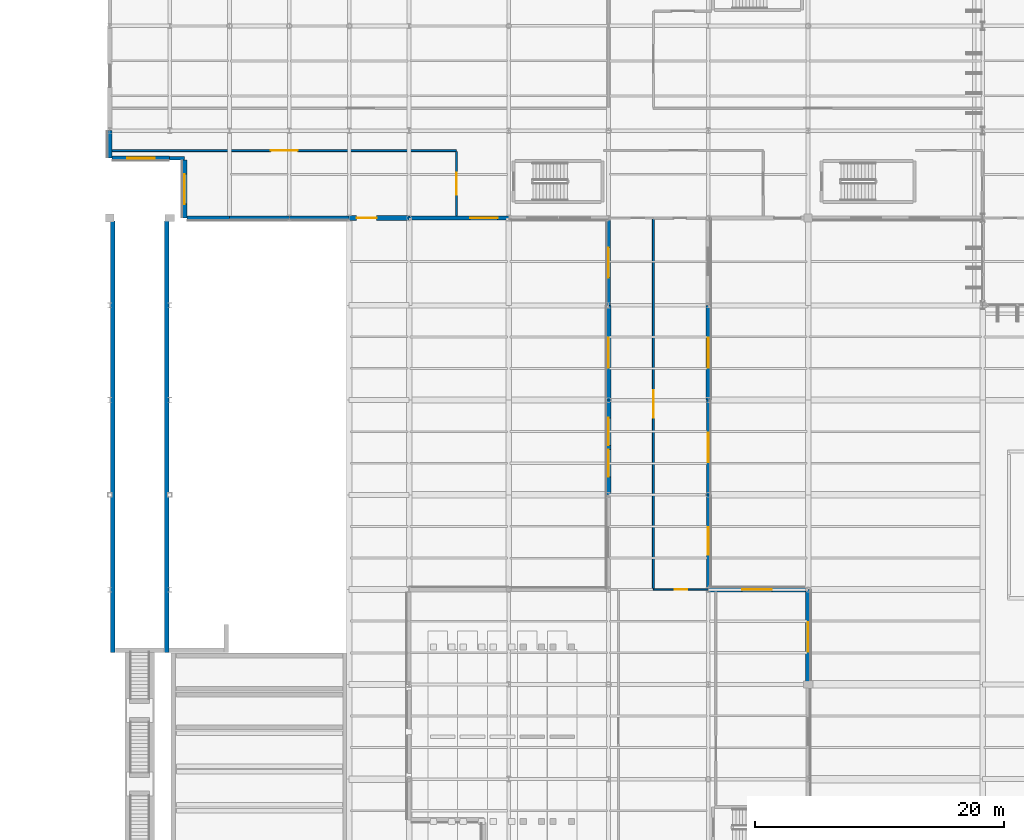
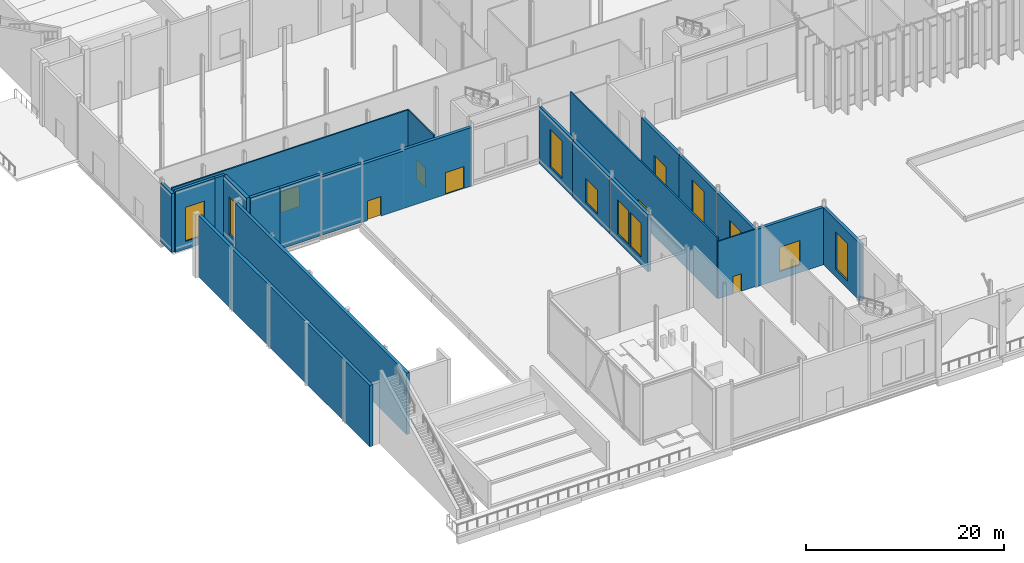
# One storey, part 133 of 176: 23 walls, 11 windows, 6 doors, 17 openings.
"""IFC4 building model written with IfcOpenShell, lengths in metres."""

from ifc_helpers import new_model, si_unit, direction, frame, frame_2d, origin, place, context, subcontext, project, spatial, rectangle, extrude, material, layer, layer_set, type_object, element, fill, save


model = new_model("IFC4")

# Units and contexts
model_context = context("Model", 3, precision=1e-05, world=origin(), true_north=direction((0.0, 1.0)))
body_context = subcontext(model_context, "Body", "Model", "MODEL_VIEW")
ifc_project = project(units=[si_unit("LENGTHUNIT", "METRE"), si_unit("AREAUNIT", "SQUARE_METRE"), si_unit("VOLUMEUNIT", "CUBIC_METRE"), si_unit("PLANEANGLEUNIT", "RADIAN"), si_unit("MASSUNIT", "GRAM", prefix="KILO")], contexts=[model_context])

# Site, building, storey
site_placement = place(None, origin())
site = spatial("IfcSite", under=ifc_project, at=site_placement, CompositionType="ELEMENT")
building_placement = place(site_placement, origin())
building = spatial("IfcBuilding", under=site, at=building_placement, Name="Vekula Escarpment Museum", CompositionType="ELEMENT")
storey_placement = place(building_placement, origin())
storey = spatial("IfcBuildingStorey", under=building, at=storey_placement, Name="L01", CompositionType="ELEMENT", Elevation=0.0)

# Walls
ifc_material_1 = material(Name="Inkisi arkosic sandstone masonry", Category="masonry")
ifc_layer_1 = layer(ifc_material_1, 0.300048828125)
ifc_layer_set_1 = layer_set([ifc_layer_1], Name="Inkisi arkosic sandstone masonry")
wall_type_1 = type_object("IfcWallType", Name="WL-ALM-300", PredefinedType="SOLIDWALL", material=ifc_layer_set_1)
wall_1_placement = place(storey_placement, frame((6.0, 57.39990234375, 0.0), z_axis=(0.0, 0.0, 1.0), x_axis=(-1.0, 0.0, 0.0)))
element("IfcWall", 1, at=wall_1_placement, inside=storey, type_object=wall_type_1, Name="Exterior Wall WL-EXT-L01-0255", PredefinedType="SOLIDWALL", context=body_context, shape_type="SweptSolid", body=[
    extrude(rectangle(XDim=1.199951171875, YDim=0.300048828125, at=frame_2d((0.60009765625, 0.0))), origin(), (0.0, 0.0, 1.0), 7.5400390625),
])
wall_2_placement = place(storey_placement, frame((19.199951171875, 52.60009765625, 0.0), z_axis=(0.0, 0.0, 1.0), x_axis=(-1.0, 0.0, 0.0)))
element("IfcWall", 2, at=wall_2_placement, inside=storey, type_object=wall_type_1, Name="Exterior Wall WL-EXT-L01-0259", PredefinedType="SOLIDWALL", context=body_context, shape_type="SweptSolid", body=[
    extrude(rectangle(XDim=4.800048828125, YDim=0.300048828125, at=frame_2d((2.39990234375, 0.0))), origin(), (0.0, 0.0, 1.0), 7.22509765625),
])

# Wall, opening, window
wall_3_placement = place(storey_placement, frame((40.0, 45.60009765625, 0.0), z_axis=(0.0, 0.0, 1.0), x_axis=(0.0, 1.0, 0.0)))
wall_3 = element("IfcWall", 3, at=wall_3_placement, inside=storey, type_object=wall_type_1, Name="Exterior Wall WL-EXT-L01-0263", PredefinedType="SOLIDWALL", context=body_context, shape_type="SweptSolid", body=[
    extrude(rectangle(XDim=6.8359375, YDim=0.300048828125, at=frame_2d((3.41796875, 0.0))), origin(), (0.0, 0.0, 1.0), 7.02490234375),
])
opening_1_placement = place(wall_3_placement, frame((2.218017578125, 0.0, 0.949951171875)))
opening_1 = element("IfcOpeningElement", 4, at=opening_1_placement, cuts=wall_3, Name="Opening WN-05", PredefinedType="OPENING", context=body_context, shape_type="SweptSolid", body=[
    extrude(rectangle(XDim=2.39990234375, YDim=4.60009765625, at=frame_2d((1.199951171875, 2.300048828125))), frame((0.0, 0.159912109375, 0.0), z_axis=(0.0, -1.0, 0.0), x_axis=(1.0, 0.0, 0.0)), (0.0, 0.0, 1.0), 0.320068359375),
])
ifc_material_2 = material(Name="Double solar-control low-E glass", Category="glass")
window_type_1 = type_object("IfcWindowType", Name="WN-ARCH-24x46", PartitioningType="TRIPLE_PANEL_VERTICAL", PredefinedType="WINDOW", material=ifc_material_2)
window_1_placement = place(opening_1_placement, origin())
window_1 = element("IfcWindow", 5, at=window_1_placement, inside=storey, type_object=window_type_1, Name="Window L01-0107", OverallHeight=4.60009765625, OverallWidth=2.39990234375, PartitioningType="SINGLE_PANEL", PredefinedType="WINDOW", context=body_context, shape_type="SweptSolid", body=[
    extrude(rectangle(XDim=2.39990234375, YDim=4.60009765625, at=frame_2d((1.199951171875, 2.300048828125))), frame((0.0, 0.030029296875, 0.0), z_axis=(0.0, -1.0, 0.0), x_axis=(1.0, 0.0, 0.0)), (0.0, 0.0, 1.0), 0.06005859375),
])
fill(opening_1, window_1)

wall_4_placement = place(storey_placement, frame((48.0, 38.0, 0.0), z_axis=(0.0, 0.0, 1.0), x_axis=(0.0, -1.0, 0.0)))
wall_4 = element("IfcWall", 6, at=wall_4_placement, inside=storey, type_object=wall_type_1, Name="Exterior Wall WL-EXT-L01-0283", PredefinedType="SOLIDWALL", context=body_context, shape_type="SweptSolid", body=[
    extrude(rectangle(XDim=7.60009765625, YDim=0.300048828125, at=frame_2d((3.800048828125, 0.0))), origin(), (0.0, 0.0, 1.0), 7.02490234375),
])
opening_2_placement = place(wall_4_placement, frame((2.60009765625, 0.0, 0.949951171875)))
opening_2 = element("IfcOpeningElement", 7, at=opening_2_placement, cuts=wall_4, Name="Opening WN-05", PredefinedType="OPENING", context=body_context, shape_type="SweptSolid", body=[
    extrude(rectangle(XDim=2.39990234375, YDim=4.60009765625, at=frame_2d((1.199951171875, 2.300048828125))), frame((0.0, 0.159912109375, 0.0), z_axis=(0.0, -1.0, 0.0), x_axis=(1.0, 0.0, 0.0)), (0.0, 0.0, 1.0), 0.320068359375),
])
window_2_placement = place(opening_2_placement, origin())
window_2 = element("IfcWindow", 8, at=window_2_placement, inside=storey, type_object=window_type_1, Name="Window L01-0119", OverallHeight=4.60009765625, OverallWidth=2.39990234375, PartitioningType="SINGLE_PANEL", PredefinedType="WINDOW", context=body_context, shape_type="SweptSolid", body=[
    extrude(rectangle(XDim=2.39990234375, YDim=4.60009765625, at=frame_2d((1.199951171875, 2.300048828125))), frame((0.0, 0.030029296875, 0.0), z_axis=(0.0, -1.0, 0.0), x_axis=(1.0, 0.0, 0.0)), (0.0, 0.0, 1.0), 0.06005859375),
])
fill(opening_2, window_2)

ifc_material_3 = material(Name="Inkisi arkosic sandstone masonry", Category="masonry")
ifc_layer_2 = layer(ifc_material_3, 0.320068359375)
ifc_layer_set_2 = layer_set([ifc_layer_2], Name="Inkisi arkosic sandstone masonry")
wall_type_2 = type_object("IfcWallType", Name="WL-ALM-320", PredefinedType="SOLIDWALL", material=ifc_layer_set_2)
wall_5_placement = place(storey_placement, frame((4.800048828125, 57.39990234375, 0.0), z_axis=(0.0, 0.0, 1.0), x_axis=(-1.0, 0.0, 0.0)))
wall_5 = element("IfcWall", 9, at=wall_5_placement, inside=storey, type_object=wall_type_2, Name="Exterior Wall WL-EXT-L01-0254", PredefinedType="SOLIDWALL", context=body_context, shape_type="SweptSolid", body=[
    extrude(rectangle(XDim=4.62109375, YDim=0.320068359375, at=frame_2d((2.310546875, 0.0))), origin(), (0.0, 0.0, 1.0), 7.5400390625),
])
opening_3_placement = place(wall_5_placement, frame((1.21044921875, 0.0, 0.949951171875)))
opening_3 = element("IfcOpeningElement", 10, at=opening_3_placement, cuts=wall_5, Name="Opening WN-04", PredefinedType="OPENING", context=body_context, shape_type="SweptSolid", body=[
    extrude(rectangle(XDim=2.199951171875, YDim=4.199951171875, at=frame_2d((1.10009765625, 2.10009765625))), frame((0.0, 0.169921875, 0.0), z_axis=(0.0, -1.0, 0.0), x_axis=(1.0, 0.0, 0.0)), (0.0, 0.0, 1.0), 0.340087890625),
])
ifc_material_4 = material(Name="Double solar-control low-E glass", Category="glass")
window_type_2 = type_object("IfcWindowType", Name="WN-ARCH-22x42", PartitioningType="DOUBLE_PANEL_VERTICAL", PredefinedType="WINDOW", material=ifc_material_4)
window_3_placement = place(opening_3_placement, origin())
window_3 = element("IfcWindow", 11, at=window_3_placement, inside=storey, type_object=window_type_2, Name="Window L01-0103", OverallHeight=4.199951171875, OverallWidth=2.199951171875, PartitioningType="SINGLE_PANEL", PredefinedType="WINDOW", context=body_context, shape_type="SweptSolid", body=[
    extrude(rectangle(XDim=2.199951171875, YDim=4.199951171875, at=frame_2d((1.10009765625, 2.10009765625))), frame((0.0, 0.030029296875, 0.0), z_axis=(0.0, -1.0, 0.0), x_axis=(1.0, 0.0, 0.0)), (0.0, 0.0, 1.0), 0.06005859375),
])
fill(opening_3, window_3)

# Wall
wall_6_placement = place(storey_placement, frame((14.39990234375, 52.60009765625, 0.0), z_axis=(0.0, 0.0, 1.0), x_axis=(-1.0, 0.0, 0.0)))
element("IfcWall", 12, at=wall_6_placement, inside=storey, type_object=wall_type_2, Name="Exterior Wall WL-EXT-L01-0258", PredefinedType="SOLIDWALL", context=body_context, shape_type="SweptSolid", body=[
    extrude(rectangle(XDim=4.7998046875, YDim=0.320068359375, at=frame_2d((2.39990234375, 0.0))), origin(), (0.0, 0.0, 1.0), 7.5400390625),
])

# Wall, opening, window
wall_7_placement = place(storey_placement, frame((48.0, 30.39990234375, 0.0), z_axis=(0.0, 0.0, 1.0), x_axis=(0.0, -1.0, 0.0)))
wall_7 = element("IfcWall", 13, at=wall_7_placement, inside=storey, type_object=wall_type_2, Name="Exterior Wall WL-EXT-L01-0282", PredefinedType="SOLIDWALL", context=body_context, shape_type="SweptSolid", body=[
    extrude(rectangle(XDim=7.4208984375, YDim=0.320068359375, at=frame_2d((3.71044921875, 0.0))), origin(), (0.0, 0.0, 1.0), 7.02490234375),
])
opening_4_placement = place(wall_7_placement, frame((2.610595703125, 0.0, 0.949951171875)))
opening_4 = element("IfcOpeningElement", 14, at=opening_4_placement, cuts=wall_7, Name="Opening WN-04", PredefinedType="OPENING", context=body_context, shape_type="SweptSolid", body=[
    extrude(rectangle(XDim=2.199951171875, YDim=4.199951171875, at=frame_2d((1.10009765625, 2.10009765625))), frame((0.0, 0.169921875, 0.0), z_axis=(0.0, -1.0, 0.0), x_axis=(1.0, 0.0, 0.0)), (0.0, 0.0, 1.0), 0.340087890625),
])
window_4_placement = place(opening_4_placement, origin())
window_4 = element("IfcWindow", 15, at=window_4_placement, inside=storey, type_object=window_type_2, Name="Window L01-0118", OverallHeight=4.199951171875, OverallWidth=2.199951171875, PartitioningType="SINGLE_PANEL", PredefinedType="WINDOW", context=body_context, shape_type="SweptSolid", body=[
    extrude(rectangle(XDim=2.199951171875, YDim=4.199951171875, at=frame_2d((1.10009765625, 2.10009765625))), frame((0.0, 0.030029296875, 0.0), z_axis=(0.0, -1.0, 0.0), x_axis=(1.0, 0.0, 0.0)), (0.0, 0.0, 1.0), 0.06005859375),
])
fill(opening_4, window_4)

# Walls
ifc_material_5 = material(Name="Inkisi arkosic sandstone masonry", Category="masonry")
ifc_layer_3 = layer(ifc_material_5, 0.35009765625)
ifc_layer_set_3 = layer_set([ifc_layer_3], Name="Inkisi arkosic sandstone masonry")
wall_type_3 = type_object("IfcWallType", Name="WL-ALM-350", PredefinedType="SOLIDWALL", material=ifc_layer_set_3)
wall_8_placement = place(storey_placement, frame((0.0, 57.39990234375, 0.0), z_axis=(0.0, 0.0, 1.0), x_axis=(0.0, 1.0, 0.0)))
element("IfcWall", 16, at=wall_8_placement, inside=storey, type_object=wall_type_3, Name="Exterior Wall WL-EXT-L01-0253", PredefinedType="SOLIDWALL", context=body_context, shape_type="SweptSolid", body=[
    extrude(rectangle(XDim=2.2001953125, YDim=0.35009765625, at=frame_2d((1.10009765625, 0.0))), origin(), (0.0, 0.0, 1.0), 7.27490234375),
])
wall_9_placement = place(storey_placement, frame((9.60009765625, 52.60009765625, 0.0), z_axis=(0.0, 0.0, 1.0), x_axis=(-1.0, 0.0, 0.0)))
element("IfcWall", 17, at=wall_9_placement, inside=storey, type_object=wall_type_3, Name="Exterior Wall WL-EXT-L01-0257", PredefinedType="SOLIDWALL", context=body_context, shape_type="SweptSolid", body=[
    extrude(rectangle(XDim=3.406005859375, YDim=0.35009765625, at=frame_2d((1.703125, 0.0))), origin(), (0.0, 0.0, 1.0), 7.5400390625),
])

# Wall, opening, door
wall_10_placement = place(storey_placement, frame((32.0, 52.60009765625, 0.0), z_axis=(0.0, 0.0, 1.0), x_axis=(-1.0, 0.0, 0.0)))
wall_10 = element("IfcWall", 18, at=wall_10_placement, inside=storey, type_object=wall_type_3, Name="Exterior Wall WL-EXT-L01-0261", PredefinedType="SOLIDWALL", context=body_context, shape_type="SweptSolid", body=[
    extrude(rectangle(XDim=8.0, YDim=0.35009765625, at=frame_2d((4.0, 0.0))), origin(), (0.0, 0.0, 1.0), 7.22509765625),
])
opening_5_placement = place(wall_10_placement, frame((0.89990234375, 0.0, 0.0)))
opening_5 = element("IfcOpeningElement", 19, at=opening_5_placement, cuts=wall_10, Name="Opening D-EX22", PredefinedType="OPENING", context=body_context, shape_type="SweptSolid", body=[
    extrude(rectangle(XDim=2.199951171875, YDim=2.699951171875, at=frame_2d((1.10009765625, 1.35009765625))), frame((0.0, 0.18505859375, 0.0), z_axis=(0.0, -1.0, 0.0), x_axis=(1.0, 0.0, 0.0)), (0.0, 0.0, 1.0), 0.3701171875),
])
ifc_material_6 = material(Name="Bronze-anodized glazed exit door", Category="aluminium")
door_type_1 = type_object("IfcDoorType", Name="DR-EX-2200x2700", OperationType="NOTDEFINED", PredefinedType="DOOR", material=ifc_material_6)
door_1_placement = place(opening_5_placement, origin())
door_1 = element("IfcDoor", 20, at=door_1_placement, inside=storey, type_object=door_type_1, Name="Plinth West ST-04 Protected Exit Door D-EX22", OperationType="SINGLE_SWING_RIGHT", OverallHeight=2.699951171875, OverallWidth=2.199951171875, PredefinedType="DOOR", context=body_context, shape_type="SweptSolid", body=[
    extrude(rectangle(XDim=2.199951171875, YDim=2.699951171875, at=frame_2d((1.10009765625, 1.35009765625))), frame((0.0, 0.02490234375, 0.0), z_axis=(0.0, -1.0, 0.0), x_axis=(1.0, 0.0, 0.0)), (0.0, 0.0, 1.0), 0.050048828125),
])
fill(opening_5, door_1)

# Wall, openings, windows
wall_11_placement = place(storey_placement, frame((40.0, 30.39990234375, 0.0), z_axis=(0.0, 0.0, 1.0), x_axis=(0.0, 1.0, 0.0)))
wall_11 = element("IfcWall", 21, at=wall_11_placement, inside=storey, type_object=wall_type_3, Name="Exterior Wall WL-EXT-L01-0265", PredefinedType="SOLIDWALL", context=body_context, shape_type="SweptSolid", body=[
    extrude(rectangle(XDim=7.60009765625, YDim=0.35009765625, at=frame_2d((3.800048828125, 0.0))), origin(), (0.0, 0.0, 1.0), 7.02490234375),
])
opening_6_placement = place(wall_11_placement, frame((1.433349609375, 0.0, 0.949951171875)))
opening_6 = element("IfcOpeningElement", 22, at=opening_6_placement, cuts=wall_11, Name="Opening WN-04", PredefinedType="OPENING", context=body_context, shape_type="SweptSolid", body=[
    extrude(rectangle(XDim=2.199951171875, YDim=4.199951171875, at=frame_2d((1.10009765625, 2.10009765625))), frame((0.0, 0.18505859375, 0.0), z_axis=(0.0, -1.0, 0.0), x_axis=(1.0, 0.0, 0.0)), (0.0, 0.0, 1.0), 0.3701171875),
])
opening_7_placement = place(wall_11_placement, frame((3.966796875, 0.0, 0.949951171875)))
opening_7 = element("IfcOpeningElement", 23, at=opening_7_placement, cuts=wall_11, Name="Opening WN-04", PredefinedType="OPENING", context=body_context, shape_type="SweptSolid", body=[
    extrude(rectangle(XDim=2.199951171875, YDim=4.199951171875, at=frame_2d((1.10009765625, 2.10009765625))), frame((0.0, 0.18505859375, 0.0), z_axis=(0.0, -1.0, 0.0), x_axis=(1.0, 0.0, 0.0)), (0.0, 0.0, 1.0), 0.3701171875),
])
window_5_placement = place(opening_6_placement, origin())
window_5 = element("IfcWindow", 24, at=window_5_placement, inside=storey, type_object=window_type_2, Name="Window L01-0109", OverallHeight=4.199951171875, OverallWidth=2.199951171875, PartitioningType="SINGLE_PANEL", PredefinedType="WINDOW", context=body_context, shape_type="SweptSolid", body=[
    extrude(rectangle(XDim=2.199951171875, YDim=4.199951171875, at=frame_2d((1.10009765625, 2.10009765625))), frame((0.0, 0.030029296875, 0.0), z_axis=(0.0, -1.0, 0.0), x_axis=(1.0, 0.0, 0.0)), (0.0, 0.0, 1.0), 0.06005859375),
])
fill(opening_6, window_5)
window_6_placement = place(opening_7_placement, origin())
window_6 = element("IfcWindow", 25, at=window_6_placement, inside=storey, type_object=window_type_2, Name="Window L01-0110", OverallHeight=4.199951171875, OverallWidth=2.199951171875, PartitioningType="SINGLE_PANEL", PredefinedType="WINDOW", context=body_context, shape_type="SweptSolid", body=[
    extrude(rectangle(XDim=2.199951171875, YDim=4.199951171875, at=frame_2d((1.10009765625, 2.10009765625))), frame((0.0, 0.030029296875, 0.0), z_axis=(0.0, -1.0, 0.0), x_axis=(1.0, 0.0, 0.0)), (0.0, 0.0, 1.0), 0.06005859375),
])
fill(opening_7, window_6)

# Wall, opening, window
wall_12_placement = place(storey_placement, frame((48.0, 22.800048828125, 0.0), z_axis=(0.0, 0.0, 1.0), x_axis=(1.0, 0.0, 0.0)))
wall_12 = element("IfcWall", 26, at=wall_12_placement, inside=storey, type_object=wall_type_3, Name="Exterior Wall WL-EXT-L01-0281", PredefinedType="SOLIDWALL", context=body_context, shape_type="SweptSolid", body=[
    extrude(rectangle(XDim=7.805908203125, YDim=0.35009765625, at=frame_2d((3.90283203125, 0.0))), origin(), (0.0, 0.0, 1.0), 7.074951171875),
])
opening_8_placement = place(wall_12_placement, frame((2.702880859375, 0.0, 0.949951171875)))
opening_8 = element("IfcOpeningElement", 27, at=opening_8_placement, cuts=wall_12, Name="Opening WN-14", PredefinedType="OPENING", context=body_context, shape_type="SweptSolid", body=[
    extrude(rectangle(XDim=2.39990234375, YDim=3.0, at=frame_2d((1.199951171875, 1.5))), frame((0.0, 0.18505859375, 0.0), z_axis=(0.0, -1.0, 0.0), x_axis=(1.0, 0.0, 0.0)), (0.0, 0.0, 1.0), 0.3701171875),
])
ifc_material_7 = material(Name="Double solar-control low-E glass", Category="glass")
window_type_3 = type_object("IfcWindowType", Name="WN-CAFE-24x30", PartitioningType="TRIPLE_PANEL_VERTICAL", PredefinedType="WINDOW", material=ifc_material_7)
window_7_placement = place(opening_8_placement, origin())
window_7 = element("IfcWindow", 28, at=window_7_placement, inside=storey, type_object=window_type_3, Name="Window L01-0117", OverallHeight=3.0, OverallWidth=2.39990234375, PartitioningType="SINGLE_PANEL", PredefinedType="WINDOW", context=body_context, shape_type="SweptSolid", body=[
    extrude(rectangle(XDim=2.39990234375, YDim=3.0, at=frame_2d((1.199951171875, 1.5))), frame((0.0, 0.030029296875, 0.0), z_axis=(0.0, -1.0, 0.0), x_axis=(1.0, 0.0, 0.0)), (0.0, 0.0, 1.0), 0.06005859375),
])
fill(opening_8, window_7)

ifc_material_8 = material(Name="Inkisi arkosic sandstone masonry", Category="masonry")
ifc_layer_4 = layer(ifc_material_8, 0.3798828125)
ifc_layer_set_4 = layer_set([ifc_layer_4], Name="Inkisi arkosic sandstone masonry")
wall_type_4 = type_object("IfcWallType", Name="WL-ALM-380", PredefinedType="SOLIDWALL", material=ifc_layer_set_4)
wall_13_placement = place(storey_placement, frame((6.0, 52.60009765625, 0.0), z_axis=(0.0, 0.0, 1.0), x_axis=(0.0, 1.0, 0.0)))
wall_13 = element("IfcWall", 29, at=wall_13_placement, inside=storey, type_object=wall_type_4, Name="Exterior Wall WL-EXT-L01-0256", PredefinedType="SOLIDWALL", context=body_context, shape_type="SweptSolid", body=[
    extrude(rectangle(XDim=4.64599609375, YDim=0.3798828125, at=frame_2d((2.322998046875, 0.0))), origin(), (0.0, 0.0, 1.0), 7.5400390625),
])
opening_9_placement = place(wall_13_placement, frame((1.123046875, 0.0, 0.949951171875)))
opening_9 = element("IfcOpeningElement", 30, at=opening_9_placement, cuts=wall_13, Name="Opening WN-05", PredefinedType="OPENING", context=body_context, shape_type="SweptSolid", body=[
    extrude(rectangle(XDim=2.39990234375, YDim=4.60009765625, at=frame_2d((1.199951171875, 2.300048828125))), frame((0.0, 0.199951171875, 0.0), z_axis=(0.0, -1.0, 0.0), x_axis=(1.0, 0.0, 0.0)), (0.0, 0.0, 1.0), 0.39990234375),
])
window_8_placement = place(opening_9_placement, origin())
window_8 = element("IfcWindow", 31, at=window_8_placement, inside=storey, type_object=window_type_1, Name="Window L01-0104", OverallHeight=4.60009765625, OverallWidth=2.39990234375, PartitioningType="SINGLE_PANEL", PredefinedType="WINDOW", context=body_context, shape_type="SweptSolid", body=[
    extrude(rectangle(XDim=2.39990234375, YDim=4.60009765625, at=frame_2d((1.199951171875, 2.300048828125))), frame((0.0, 0.030029296875, 0.0), z_axis=(0.0, -1.0, 0.0), x_axis=(1.0, 0.0, 0.0)), (0.0, 0.0, 1.0), 0.06005859375),
])
fill(opening_9, window_8)

# Wall, opening, door
wall_14_placement = place(storey_placement, frame((24.0, 52.60009765625, 0.0), z_axis=(0.0, 0.0, 1.0), x_axis=(-1.0, 0.0, 0.0)))
wall_14 = element("IfcWall", 32, at=wall_14_placement, inside=storey, type_object=wall_type_4, Name="Exterior Wall WL-EXT-L01-0260", PredefinedType="SOLIDWALL", context=body_context, shape_type="SweptSolid", body=[
    extrude(rectangle(XDim=4.800048828125, YDim=0.3798828125, at=frame_2d((2.39990234375, 0.0))), origin(), (0.0, 0.0, 1.0), 7.125),
])
opening_10_placement = place(wall_14_placement, frame((2.60009765625, 0.0, 0.0)))
opening_10 = element("IfcOpeningElement", 33, at=opening_10_placement, cuts=wall_14, Name="Opening D-CY01", PredefinedType="OPENING", context=body_context, shape_type="SweptSolid", body=[
    extrude(rectangle(XDim=1.60009765625, YDim=2.39990234375, at=frame_2d((0.800048828125, 1.199951171875))), frame((0.0, 0.199951171875, 0.0), z_axis=(0.0, -1.0, 0.0), x_axis=(1.0, 0.0, 0.0)), (0.0, 0.0, 1.0), 0.39990234375),
])
ifc_material_9 = material(Name="Thermally broken glazed terrace door", Category="steel")
door_type_2 = type_object("IfcDoorType", Name="DR-TER-1600x2400", OperationType="NOTDEFINED", PredefinedType="DOOR", material=ifc_material_9)
door_2_placement = place(opening_10_placement, origin())
door_2 = element("IfcDoor", 34, at=door_2_placement, inside=storey, type_object=door_type_2, Name="South Escarpment Plinth Plinth Door D-CY01", OperationType="SINGLE_SWING_LEFT", OverallHeight=2.39990234375, OverallWidth=1.60009765625, PredefinedType="DOOR", context=body_context, shape_type="SweptSolid", body=[
    extrude(rectangle(XDim=1.60009765625, YDim=2.39990234375, at=frame_2d((0.800048828125, 1.199951171875))), frame((0.0, 0.02490234375, 0.0), z_axis=(0.0, -1.0, 0.0), x_axis=(1.0, 0.0, 0.0)), (0.0, 0.0, 1.0), 0.050048828125),
])
fill(opening_10, door_2)

# Wall, opening, window
wall_15_placement = place(storey_placement, frame((40.0, 38.0, 0.0), z_axis=(0.0, 0.0, 1.0), x_axis=(0.0, 1.0, 0.0)))
wall_15 = element("IfcWall", 35, at=wall_15_placement, inside=storey, type_object=wall_type_4, Name="Exterior Wall WL-EXT-L01-0264", PredefinedType="SOLIDWALL", context=body_context, shape_type="SweptSolid", body=[
    extrude(rectangle(XDim=7.60009765625, YDim=0.3798828125, at=frame_2d((3.800048828125, 0.0))), origin(), (0.0, 0.0, 1.0), 7.02490234375),
])
opening_11_placement = place(wall_15_placement, frame((2.60009765625, 0.0, 0.949951171875)))
opening_11 = element("IfcOpeningElement", 36, at=opening_11_placement, cuts=wall_15, Name="Opening WN-14", PredefinedType="OPENING", context=body_context, shape_type="SweptSolid", body=[
    extrude(rectangle(XDim=2.39990234375, YDim=3.0, at=frame_2d((1.199951171875, 1.5))), frame((0.0, 0.199951171875, 0.0), z_axis=(0.0, -1.0, 0.0), x_axis=(1.0, 0.0, 0.0)), (0.0, 0.0, 1.0), 0.39990234375),
])
window_9_placement = place(opening_11_placement, origin())
window_9 = element("IfcWindow", 37, at=window_9_placement, inside=storey, type_object=window_type_3, Name="Window L01-0108", OverallHeight=3.0, OverallWidth=2.39990234375, PartitioningType="SINGLE_PANEL", PredefinedType="WINDOW", context=body_context, shape_type="SweptSolid", body=[
    extrude(rectangle(XDim=2.39990234375, YDim=3.0, at=frame_2d((1.199951171875, 1.5))), frame((0.0, 0.030029296875, 0.0), z_axis=(0.0, -1.0, 0.0), x_axis=(1.0, 0.0, 0.0)), (0.0, 0.0, 1.0), 0.06005859375),
])
fill(opening_11, window_9)

wall_16_placement = place(storey_placement, frame((56.0, 22.800048828125, 0.0), z_axis=(0.0, 0.0, 1.0), x_axis=(0.0, -1.0, 0.0)))
wall_16 = element("IfcWall", 38, at=wall_16_placement, inside=storey, type_object=wall_type_4, Name="Exterior Wall WL-EXT-L01-0280", PredefinedType="SOLIDWALL", context=body_context, shape_type="SweptSolid", body=[
    extrude(rectangle(XDim=7.60009765625, YDim=0.3798828125, at=frame_2d((3.800048828125, 0.0))), origin(), (0.0, 0.0, 1.0), 7.02490234375),
])
opening_12_placement = place(wall_16_placement, frame((2.60009765625, 0.0, 0.949951171875)))
opening_12 = element("IfcOpeningElement", 39, at=opening_12_placement, cuts=wall_16, Name="Opening WN-05", PredefinedType="OPENING", context=body_context, shape_type="SweptSolid", body=[
    extrude(rectangle(XDim=2.39990234375, YDim=4.60009765625, at=frame_2d((1.199951171875, 2.300048828125))), frame((0.0, 0.199951171875, 0.0), z_axis=(0.0, -1.0, 0.0), x_axis=(1.0, 0.0, 0.0)), (0.0, 0.0, 1.0), 0.39990234375),
])
window_10_placement = place(opening_12_placement, origin())
window_10 = element("IfcWindow", 40, at=window_10_placement, inside=storey, type_object=window_type_1, Name="Window L01-0116", OverallHeight=4.60009765625, OverallWidth=2.39990234375, PartitioningType="SINGLE_PANEL", PredefinedType="WINDOW", context=body_context, shape_type="SweptSolid", body=[
    extrude(rectangle(XDim=2.39990234375, YDim=4.60009765625, at=frame_2d((1.199951171875, 2.300048828125))), frame((0.0, 0.030029296875, 0.0), z_axis=(0.0, -1.0, 0.0), x_axis=(1.0, 0.0, 0.0)), (0.0, 0.0, 1.0), 0.06005859375),
])
fill(opening_12, window_10)

wall_17_placement = place(storey_placement, frame((48.0, 45.60009765625, 0.0), z_axis=(0.0, 0.0, 1.0), x_axis=(0.0, -1.0, 0.0)))
wall_17 = element("IfcWall", 41, at=wall_17_placement, inside=storey, type_object=wall_type_4, Name="Exterior Wall WL-EXT-L01-0284", PredefinedType="SOLIDWALL", context=body_context, shape_type="SweptSolid", body=[
    extrude(rectangle(XDim=7.60009765625, YDim=0.3798828125, at=frame_2d((3.800048828125, 0.0))), origin(), (0.0, 0.0, 1.0), 7.02490234375),
])
opening_13_placement = place(wall_17_placement, frame((2.60009765625, 0.0, 0.949951171875)))
opening_13 = element("IfcOpeningElement", 42, at=opening_13_placement, cuts=wall_17, Name="Opening WN-14", PredefinedType="OPENING", context=body_context, shape_type="SweptSolid", body=[
    extrude(rectangle(XDim=2.39990234375, YDim=3.0, at=frame_2d((1.199951171875, 1.5))), frame((0.0, 0.199951171875, 0.0), z_axis=(0.0, -1.0, 0.0), x_axis=(1.0, 0.0, 0.0)), (0.0, 0.0, 1.0), 0.39990234375),
])
window_11_placement = place(opening_13_placement, origin())
window_11 = element("IfcWindow", 43, at=window_11_placement, inside=storey, type_object=window_type_3, Name="Window L01-0120", OverallHeight=3.0, OverallWidth=2.39990234375, PartitioningType="SINGLE_PANEL", PredefinedType="WINDOW", context=body_context, shape_type="SweptSolid", body=[
    extrude(rectangle(XDim=2.39990234375, YDim=3.0, at=frame_2d((1.199951171875, 1.5))), frame((0.0, 0.030029296875, 0.0), z_axis=(0.0, -1.0, 0.0), x_axis=(1.0, 0.0, 0.0)), (0.0, 0.0, 1.0), 0.06005859375),
])
fill(opening_13, window_11)

# Walls
ifc_material_10 = material(Name="Inkisi arkosic sandstone masonry", Category="masonry")
ifc_layer_5 = layer(ifc_material_10, 0.360107421875)
ifc_layer_set_5 = layer_set([ifc_layer_5], Name="Inkisi arkosic sandstone masonry")
wall_type_5 = type_object("IfcWallType", Name="WL-AMP-CHEEK", PredefinedType="SOLIDWALL", material=ifc_layer_set_5)
for number, where, z_axis, x_axis, name in (
    (44, (0.25, 17.760009765625, 0.0), (0.0, 0.0, 1.0), (0.0, 1.0, 0.0), "Stepped Plinth Terrace Wall L01-01"),
    (45, (4.550048828125, 17.760009765625, 0.0), (0.0, 0.0, 1.0), (0.0, 1.0, 0.0), "Stepped Plinth Terrace Wall L01-03"),
):
    element("IfcWall", number, at=place(storey_placement, frame(where, z_axis=z_axis, x_axis=x_axis)), inside=storey, type_object=wall_type_5, Name=name, PredefinedType="SOLIDWALL", context=body_context, shape_type="SweptSolid", body=[
        extrude(rectangle(XDim=34.590087890625, YDim=0.360107421875, at=frame_2d((17.294921875, 0.0))), origin(), (0.0, 0.0, 1.0), 7.580078125),
    ])

# Wall, opening, door
ifc_material_11 = material(Name="Lightweight studio partition", Category="gypsum")
ifc_layer_6 = layer(ifc_material_11, 0.1201171875)
ifc_layer_set_6 = layer_set([ifc_layer_6], Name="Lightweight studio partition")
wall_type_6 = type_object("IfcWallType", Name="WL-PART-120", PredefinedType="PARTITIONING", material=ifc_layer_set_6)
wall_18_placement = place(storey_placement, frame((43.60009765625, 22.800048828125, 0.0), z_axis=(0.0, 0.0, 1.0), x_axis=(1.0, 0.0, 0.0)))
wall_18 = element("IfcWall", 46, at=wall_18_placement, inside=storey, type_object=wall_type_6, Name="Interior Partition WL-INT-L01-0078", PredefinedType="PARTITIONING", context=body_context, shape_type="SweptSolid", body=[
    extrude(rectangle(XDim=4.39990234375, YDim=0.1201171875, at=frame_2d((2.199951171875, 0.0))), origin(), (0.0, 0.0, 1.0), 7.074951171875),
])
opening_14_placement = place(wall_18_placement, frame((1.699951171875, 0.0, 0.0)))
opening_14 = element("IfcOpeningElement", 47, at=opening_14_placement, cuts=wall_18, Name="Opening DR-OF10", PredefinedType="OPENING", context=body_context, shape_type="SweptSolid", body=[
    extrude(rectangle(XDim=1.0, YDim=2.14990234375, at=frame_2d((0.5, 1.074951171875))), frame((0.0, 0.070068359375, 0.0), z_axis=(0.0, -1.0, 0.0), x_axis=(1.0, 0.0, 0.0)), (0.0, 0.0, 1.0), 0.14013671875),
])
ifc_material_12 = material(Name="Solid core timber study door", Category="wood")
door_type_3 = type_object("IfcDoorType", Name="DR-OFF-1000x2150", OperationType="NOTDEFINED", PredefinedType="DOOR", material=ifc_material_12)
door_3_placement = place(opening_14_placement, origin())
door_3 = element("IfcDoor", 48, at=door_3_placement, inside=storey, type_object=door_type_3, Name="Interior Door L01-070", OperationType="SINGLE_SWING_LEFT", OverallHeight=2.14990234375, OverallWidth=1.0, PredefinedType="DOOR", context=body_context, shape_type="SweptSolid", body=[
    extrude(rectangle(XDim=1.0, YDim=2.14990234375, at=frame_2d((0.5, 1.074951171875))), frame((0.0, 0.02490234375, 0.0), z_axis=(0.0, -1.0, 0.0), x_axis=(1.0, 0.0, 0.0)), (0.0, 0.0, 1.0), 0.050048828125),
])
fill(opening_14, door_3)

ifc_material_13 = material(Name="Gypsum board dry-lined partition", Category="gypsum")
ifc_layer_7 = layer(ifc_material_13, 0.14990234375)
ifc_layer_set_7 = layer_set([ifc_layer_7], Name="Gypsum board dry-lined partition")
wall_type_7 = type_object("IfcWallType", Name="WL-PART-150", PredefinedType="PARTITIONING", material=ifc_layer_set_7)
wall_19_placement = place(storey_placement, frame((27.800048828125, 52.779052734375, 0.0), z_axis=(0.0, 0.0, 1.0), x_axis=(0.0, 1.0, 0.0)))
wall_19 = element("IfcWall", 49, at=wall_19_placement, inside=storey, type_object=wall_type_7, Name="Interior Partition WL-INT-L01-0029", PredefinedType="PARTITIONING", context=body_context, shape_type="SweptSolid", body=[
    extrude(rectangle(XDim=5.136962890625, YDim=0.14990234375, at=frame_2d((2.568359375, 0.0))), origin(), (0.0, 0.0, 1.0), 7.5400390625),
])
opening_15_placement = place(wall_19_placement, frame((1.66845703125, 0.0, 0.0)))
opening_15 = element("IfcOpeningElement", 50, at=opening_15_placement, cuts=wall_19, Name="Opening DR-GL18", PredefinedType="OPENING", context=body_context, shape_type="SweptSolid", body=[
    extrude(rectangle(XDim=1.800048828125, YDim=2.39990234375, at=frame_2d((0.89990234375, 1.199951171875))), frame((0.0, 0.0849609375, 0.0), z_axis=(0.0, -1.0, 0.0), x_axis=(1.0, 0.0, 0.0)), (0.0, 0.0, 1.0), 0.169921875),
])
ifc_material_14 = material(Name="Double glazed gallery portal door", Category="steel")
door_type_4 = type_object("IfcDoorType", Name="DR-GAL-1800x2400", OperationType="NOTDEFINED", PredefinedType="DOOR", material=ifc_material_14)
door_4_placement = place(opening_15_placement, origin())
door_4 = element("IfcDoor", 51, at=door_4_placement, inside=storey, type_object=door_type_4, Name="Interior Door L01-027", OperationType="SINGLE_SWING_RIGHT", OverallHeight=2.39990234375, OverallWidth=1.800048828125, PredefinedType="DOOR", context=body_context, shape_type="SweptSolid", body=[
    extrude(rectangle(XDim=1.800048828125, YDim=2.39990234375, at=frame_2d((0.89990234375, 1.199951171875))), frame((0.0, 0.02490234375, 0.0), z_axis=(0.0, -1.0, 0.0), x_axis=(1.0, 0.0, 0.0)), (0.0, 0.0, 1.0), 0.050048828125),
])
fill(opening_15, door_4)

ifc_material_15 = material(Name="Gypsum board gallery partition", Category="gypsum")
ifc_layer_8 = layer(ifc_material_15, 0.159912109375)
ifc_layer_set_8 = layer_set([ifc_layer_8], Name="Gypsum board gallery partition")
wall_type_8 = type_object("IfcWallType", Name="WL-PART-160", PredefinedType="PARTITIONING", material=ifc_layer_set_8)
wall_20_placement = place(storey_placement, frame((0.178955078125, 58.0, 0.0), z_axis=(0.0, 0.0, 1.0), x_axis=(1.0, 0.0, 0.0)))
wall_20 = element("IfcWall", 52, at=wall_20_placement, inside=storey, type_object=wall_type_8, Name="Interior Partition WL-INT-L01-0019", PredefinedType="PARTITIONING", context=body_context, shape_type="SweptSolid", body=[
    extrude(rectangle(XDim=27.62109375, YDim=0.159912109375, at=frame_2d((13.810546875, 0.0))), origin(), (0.0, 0.0, 1.0), 7.5400390625),
])
opening_16_placement = place(wall_20_placement, frame((12.71044921875, 0.0, 0.0)))
opening_16 = element("IfcOpeningElement", 53, at=opening_16_placement, cuts=wall_20, Name="Opening DR-GL22", PredefinedType="OPENING", context=body_context, shape_type="SweptSolid", body=[
    extrude(rectangle(XDim=2.199951171875, YDim=2.60009765625, at=frame_2d((1.10009765625, 1.300048828125))), frame((0.0, 0.08984375, 0.0), z_axis=(0.0, -1.0, 0.0), x_axis=(1.0, 0.0, 0.0)), (0.0, 0.0, 1.0), 0.179931640625),
])
ifc_material_16 = material(Name="Double acoustic timber gallery door", Category="wood")
door_type_5 = type_object("IfcDoorType", Name="DR-GAL-2200x2600", OperationType="NOTDEFINED", PredefinedType="DOOR", material=ifc_material_16)
door_5_placement = place(opening_16_placement, origin())
door_5 = element("IfcDoor", 54, at=door_5_placement, inside=storey, type_object=door_type_5, Name="Interior Door L01-017", OperationType="SINGLE_SWING_RIGHT", OverallHeight=2.60009765625, OverallWidth=2.199951171875, PredefinedType="DOOR", context=body_context, shape_type="SweptSolid", body=[
    extrude(rectangle(XDim=2.199951171875, YDim=2.60009765625, at=frame_2d((1.10009765625, 1.300048828125))), frame((0.0, 0.02490234375, 0.0), z_axis=(0.0, -1.0, 0.0), x_axis=(1.0, 0.0, 0.0)), (0.0, 0.0, 1.0), 0.050048828125),
])
fill(opening_16, door_5)

wall_21_placement = place(storey_placement, frame((43.60009765625, 22.864013671875, 0.0), z_axis=(0.0, 0.0, 1.0), x_axis=(0.0, 1.0, 0.0)))
wall_21 = element("IfcWall", 55, at=wall_21_placement, inside=storey, type_object=wall_type_8, Name="Interior Partition WL-INT-L01-0079", PredefinedType="PARTITIONING", context=body_context, shape_type="SweptSolid", body=[
    extrude(rectangle(XDim=29.652099609375, YDim=0.159912109375, at=frame_2d((14.826171875, 0.0))), origin(), (0.0, 0.0, 1.0), 7.5400390625),
])
opening_17_placement = place(wall_21_placement, frame((13.72607421875, 0.0, 0.0)))
opening_17 = element("IfcOpeningElement", 56, at=opening_17_placement, cuts=wall_21, Name="Opening DR-GL22", PredefinedType="OPENING", context=body_context, shape_type="SweptSolid", body=[
    extrude(rectangle(XDim=2.199951171875, YDim=2.60009765625, at=frame_2d((1.10009765625, 1.300048828125))), frame((0.0, 0.08984375, 0.0), z_axis=(0.0, -1.0, 0.0), x_axis=(1.0, 0.0, 0.0)), (0.0, 0.0, 1.0), 0.179931640625),
])
door_6_placement = place(opening_17_placement, origin())
door_6 = element("IfcDoor", 57, at=door_6_placement, inside=storey, type_object=door_type_5, Name="Interior Door L01-071", OperationType="SINGLE_SWING_RIGHT", OverallHeight=2.60009765625, OverallWidth=2.199951171875, PredefinedType="DOOR", context=body_context, shape_type="SweptSolid", body=[
    extrude(rectangle(XDim=2.199951171875, YDim=2.60009765625, at=frame_2d((1.10009765625, 1.300048828125))), frame((0.0, 0.02490234375, 0.0), z_axis=(0.0, -1.0, 0.0), x_axis=(1.0, 0.0, 0.0)), (0.0, 0.0, 1.0), 0.050048828125),
])
fill(opening_17, door_6)

save(model, "model.ifc")
